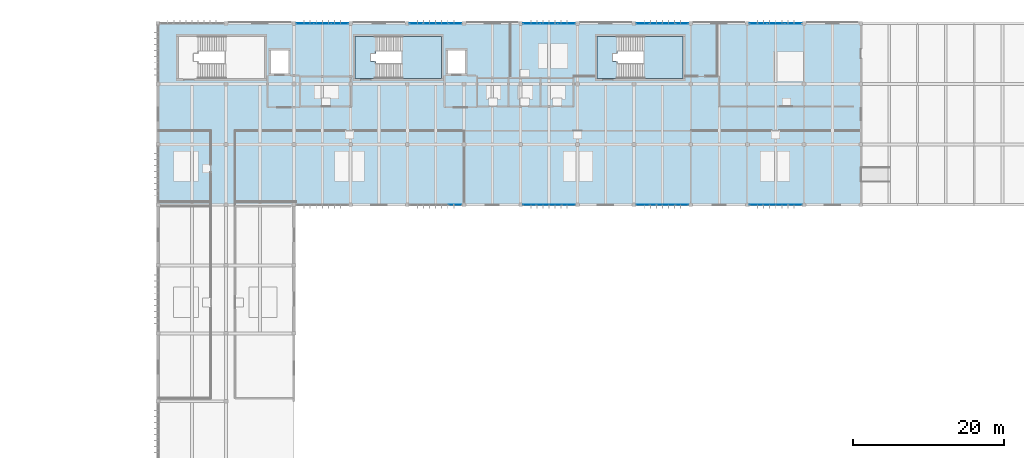
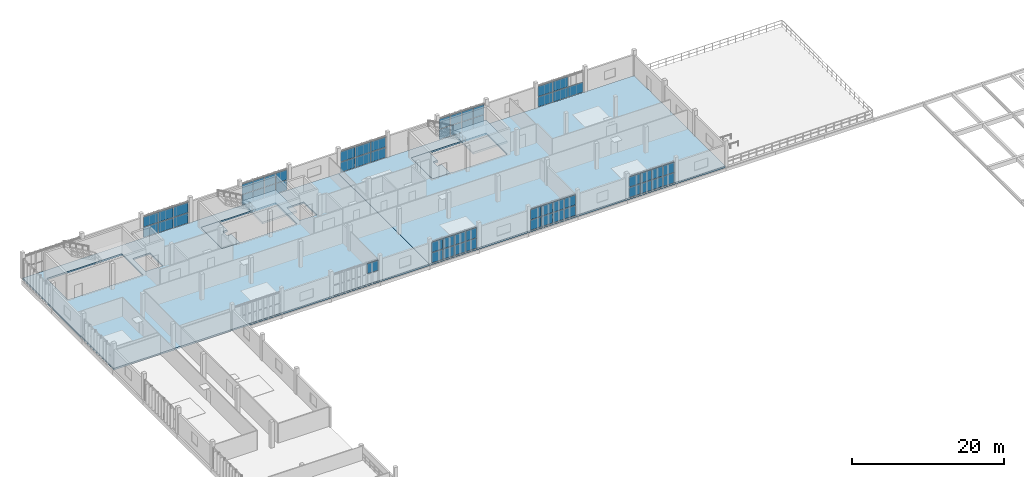
# One storey, part 16 of 27: 58 plates, 6 slabs, 11 elements without a shape of their own.
"""IFC4 building model written with IfcOpenShell, lengths in metres."""

from ifc_helpers import new_model, si_unit, direction, frame, origin, origin_2d, place, context, subcontext, project, spatial, polyline, rectangle, outline, extrude, material, layer, layer_set, type_object, element, aggregate, save


model = new_model("IFC4")

# Units and contexts
model_context = context("Model", 3, precision=1e-05, world=origin(), true_north=direction((0.0, 1.0)))
body_context = subcontext(model_context, "Body", "Model", "MODEL_VIEW")
ifc_project = project(units=[si_unit("LENGTHUNIT", "METRE"), si_unit("AREAUNIT", "SQUARE_METRE"), si_unit("VOLUMEUNIT", "CUBIC_METRE"), si_unit("PLANEANGLEUNIT", "RADIAN"), si_unit("MASSUNIT", "GRAM", prefix="KILO")], contexts=[model_context])

# Site, building, storey
site_placement = place(None, origin())
site = spatial("IfcSite", under=ifc_project, at=site_placement, CompositionType="ELEMENT")
building_placement = place(site_placement, origin())
building = spatial("IfcBuilding", under=site, at=building_placement, Name="Vourika Railside Aquatics Centre", CompositionType="ELEMENT")
storey_placement = place(building_placement, frame((0.0, 0.0, 13.5)))
storey = spatial("IfcBuildingStorey", under=building, at=storey_placement, Name="L03", CompositionType="ELEMENT", Elevation=13.5)

# Curtain wall, plates
ifc_material_1 = material(Name="Anodized thermally broken aluminium", Category="aluminium")
curtain_wall_type = type_object("IfcCurtainWallType", Name="CW-FIT3", PredefinedType="NOTDEFINED", material=ifc_material_1)
curtain_wall_1_placement = place(storey_placement, origin())
curtain_wall_1 = element("IfcCurtainWall", 1, at=curtain_wall_1_placement, inside=storey, type_object=curtain_wall_type, Name="North Boulevard Curtain Wall L03-3", PredefinedType="NOTDEFINED")
ifc_material_2 = material(Name="Low-E solar-control laminated double glazing", Category="glass")
ifc_layer_1 = layer(ifc_material_2, 0.02392578125, Name="CWP-FIT3")
ifc_layer_set_1 = layer_set([ifc_layer_1], Name="Low-E solar-control laminated double glazing")
plate_type = type_object("IfcPlateType", Name="CWP-FIT3", PredefinedType="CURTAIN_PANEL", material=ifc_layer_set_1)
plate_1_placement = place(storey_placement, frame((42.048828125, 116.0, 0.05810546875), z_axis=(0.0, 0.0, 1.0), x_axis=(-1.0, 0.0, 0.0)))
plate_1 = element("IfcPlate", 2, at=plate_1_placement, type_object=plate_type, Name="CW17 panel 1.1", PredefinedType="CURTAIN_PANEL", context=body_context, shape_type="SweptSolid", body=[
    extrude(rectangle(XDim=2.226318359375, YDim=0.02392578125, at=origin_2d()), origin(), (0.0, 0.0, 1.0), 1.633056640625),
])
plate_2_placement = place(storey_placement, frame((42.048828125, 116.0, 1.7490234375), z_axis=(0.0, 0.0, 1.0), x_axis=(-1.0, 0.0, 0.0)))
plate_2 = element("IfcPlate", 3, at=plate_2_placement, type_object=plate_type, Name="CW17 panel 1.2", PredefinedType="CURTAIN_PANEL", context=body_context, shape_type="SweptSolid", body=[
    extrude(rectangle(XDim=2.226318359375, YDim=0.02392578125, at=origin_2d()), origin(), (0.0, 0.0, 1.0), 1.633056640625),
])
plate_3_placement = place(storey_placement, frame((39.75, 116.0, 0.05810546875), z_axis=(0.0, 0.0, 1.0), x_axis=(-1.0, 0.0, 0.0)))
plate_3 = element("IfcPlate", 4, at=plate_3_placement, type_object=plate_type, Name="CW17 panel 2.1", PredefinedType="CURTAIN_PANEL", context=body_context, shape_type="SweptSolid", body=[
    extrude(rectangle(XDim=2.25537109375, YDim=0.02392578125, at=origin_2d()), origin(), (0.0, 0.0, 1.0), 1.633056640625),
])
plate_4_placement = place(storey_placement, frame((39.75, 116.0, 1.7490234375), z_axis=(0.0, 0.0, 1.0), x_axis=(-1.0, 0.0, 0.0)))
plate_4 = element("IfcPlate", 5, at=plate_4_placement, type_object=plate_type, Name="CW17 panel 2.2", PredefinedType="CURTAIN_PANEL", context=body_context, shape_type="SweptSolid", body=[
    extrude(rectangle(XDim=2.25537109375, YDim=0.02392578125, at=origin_2d()), origin(), (0.0, 0.0, 1.0), 1.633056640625),
])
plate_5_placement = place(storey_placement, frame((37.451171875, 116.0, 0.05810546875), z_axis=(0.0, 0.0, 1.0), x_axis=(-1.0, 0.0, 0.0)))
plate_5 = element("IfcPlate", 6, at=plate_5_placement, type_object=plate_type, Name="CW17 panel 3.1", PredefinedType="CURTAIN_PANEL", context=body_context, shape_type="SweptSolid", body=[
    extrude(rectangle(XDim=2.226318359375, YDim=0.02392578125, at=origin_2d()), origin(), (0.0, 0.0, 1.0), 1.633056640625),
])
plate_6_placement = place(storey_placement, frame((37.451171875, 116.0, 1.7490234375), z_axis=(0.0, 0.0, 1.0), x_axis=(-1.0, 0.0, 0.0)))
plate_6 = element("IfcPlate", 7, at=plate_6_placement, type_object=plate_type, Name="CW17 panel 3.2", PredefinedType="CURTAIN_PANEL", context=body_context, shape_type="SweptSolid", body=[
    extrude(rectangle(XDim=2.226318359375, YDim=0.02392578125, at=origin_2d()), origin(), (0.0, 0.0, 1.0), 1.633056640625),
])
aggregate(curtain_wall_1, [plate_1, plate_2, plate_3, plate_4, plate_5, plate_6])

curtain_wall_2_placement = place(storey_placement, origin())
curtain_wall_2 = element("IfcCurtainWall", 8, at=curtain_wall_2_placement, inside=storey, type_object=curtain_wall_type, Name="North Boulevard Curtain Wall L03-5", PredefinedType="NOTDEFINED")
plate_7_placement = place(storey_placement, frame((57.337890625, 116.0, 0.05810546875), z_axis=(0.0, 0.0, 1.0), x_axis=(-1.0, 0.0, 0.0)))
plate_7 = element("IfcPlate", 9, at=plate_7_placement, type_object=plate_type, Name="CW17 panel 1.1", PredefinedType="CURTAIN_PANEL", context=body_context, shape_type="SweptSolid", body=[
    extrude(rectangle(XDim=1.64794921875, YDim=0.02392578125, at=origin_2d()), origin(), (0.0, 0.0, 1.0), 1.633056640625),
])
plate_8_placement = place(storey_placement, frame((57.337890625, 116.0, 1.7490234375), z_axis=(0.0, 0.0, 1.0), x_axis=(-1.0, 0.0, 0.0)))
plate_8 = element("IfcPlate", 10, at=plate_8_placement, type_object=plate_type, Name="CW17 panel 1.2", PredefinedType="CURTAIN_PANEL", context=body_context, shape_type="SweptSolid", body=[
    extrude(rectangle(XDim=1.64794921875, YDim=0.02392578125, at=origin_2d()), origin(), (0.0, 0.0, 1.0), 1.633056640625),
])
plate_9_placement = place(storey_placement, frame((55.617431640625, 116.0, 0.05810546875), z_axis=(0.0, 0.0, 1.0), x_axis=(-1.0, 0.0, 0.0)))
plate_9 = element("IfcPlate", 11, at=plate_9_placement, type_object=plate_type, Name="CW17 panel 2.1", PredefinedType="CURTAIN_PANEL", context=body_context, shape_type="SweptSolid", body=[
    extrude(rectangle(XDim=1.677001953125, YDim=0.02392578125, at=origin_2d()), origin(), (0.0, 0.0, 1.0), 1.633056640625),
])
plate_10_placement = place(storey_placement, frame((55.617431640625, 116.0, 1.7490234375), z_axis=(0.0, 0.0, 1.0), x_axis=(-1.0, 0.0, 0.0)))
plate_10 = element("IfcPlate", 12, at=plate_10_placement, type_object=plate_type, Name="CW17 panel 2.2", PredefinedType="CURTAIN_PANEL", context=body_context, shape_type="SweptSolid", body=[
    extrude(rectangle(XDim=1.677001953125, YDim=0.02392578125, at=origin_2d()), origin(), (0.0, 0.0, 1.0), 1.633056640625),
])
plate_11_placement = place(storey_placement, frame((53.882568359375, 116.0, 0.05810546875), z_axis=(0.0, 0.0, 1.0), x_axis=(-1.0, 0.0, 0.0)))
plate_11 = element("IfcPlate", 13, at=plate_11_placement, type_object=plate_type, Name="CW17 panel 3.1", PredefinedType="CURTAIN_PANEL", context=body_context, shape_type="SweptSolid", body=[
    extrude(rectangle(XDim=1.677001953125, YDim=0.02392578125, at=origin_2d()), origin(), (0.0, 0.0, 1.0), 1.633056640625),
])
plate_12_placement = place(storey_placement, frame((53.882568359375, 116.0, 1.7490234375), z_axis=(0.0, 0.0, 1.0), x_axis=(-1.0, 0.0, 0.0)))
plate_12 = element("IfcPlate", 14, at=plate_12_placement, type_object=plate_type, Name="CW17 panel 3.2", PredefinedType="CURTAIN_PANEL", context=body_context, shape_type="SweptSolid", body=[
    extrude(rectangle(XDim=1.677001953125, YDim=0.02392578125, at=origin_2d()), origin(), (0.0, 0.0, 1.0), 1.633056640625),
])
plate_13_placement = place(storey_placement, frame((52.162109375, 116.0, 0.05810546875), z_axis=(0.0, 0.0, 1.0), x_axis=(-1.0, 0.0, 0.0)))
plate_13 = element("IfcPlate", 15, at=plate_13_placement, type_object=plate_type, Name="CW17 panel 4.1", PredefinedType="CURTAIN_PANEL", context=body_context, shape_type="SweptSolid", body=[
    extrude(rectangle(XDim=1.64794921875, YDim=0.02392578125, at=origin_2d()), origin(), (0.0, 0.0, 1.0), 1.633056640625),
])
plate_14_placement = place(storey_placement, frame((52.162109375, 116.0, 1.7490234375), z_axis=(0.0, 0.0, 1.0), x_axis=(-1.0, 0.0, 0.0)))
plate_14 = element("IfcPlate", 16, at=plate_14_placement, type_object=plate_type, Name="CW17 panel 4.2", PredefinedType="CURTAIN_PANEL", context=body_context, shape_type="SweptSolid", body=[
    extrude(rectangle(XDim=1.64794921875, YDim=0.02392578125, at=origin_2d()), origin(), (0.0, 0.0, 1.0), 1.633056640625),
])
aggregate(curtain_wall_2, [plate_7, plate_8, plate_9, plate_10, plate_11, plate_12, plate_13, plate_14])

curtain_wall_3_placement = place(storey_placement, origin())
curtain_wall_3 = element("IfcCurtainWall", 17, at=curtain_wall_3_placement, inside=storey, type_object=curtain_wall_type, Name="North Boulevard Curtain Wall L03-7", PredefinedType="NOTDEFINED")
plate_15_placement = place(storey_placement, frame((72.048828125, 116.0, 0.05810546875), z_axis=(0.0, 0.0, 1.0), x_axis=(-1.0, 0.0, 0.0)))
plate_15 = element("IfcPlate", 18, at=plate_15_placement, type_object=plate_type, Name="CW17 panel 1.1", PredefinedType="CURTAIN_PANEL", context=body_context, shape_type="SweptSolid", body=[
    extrude(rectangle(XDim=2.226318359375, YDim=0.02392578125, at=origin_2d()), origin(), (0.0, 0.0, 1.0), 1.633056640625),
])
plate_16_placement = place(storey_placement, frame((72.048828125, 116.0, 1.7490234375), z_axis=(0.0, 0.0, 1.0), x_axis=(-1.0, 0.0, 0.0)))
plate_16 = element("IfcPlate", 19, at=plate_16_placement, type_object=plate_type, Name="CW17 panel 1.2", PredefinedType="CURTAIN_PANEL", context=body_context, shape_type="SweptSolid", body=[
    extrude(rectangle(XDim=2.226318359375, YDim=0.02392578125, at=origin_2d()), origin(), (0.0, 0.0, 1.0), 1.633056640625),
])
plate_17_placement = place(storey_placement, frame((69.75, 116.0, 0.05810546875), z_axis=(0.0, 0.0, 1.0), x_axis=(-1.0, 0.0, 0.0)))
plate_17 = element("IfcPlate", 20, at=plate_17_placement, type_object=plate_type, Name="CW17 panel 2.1", PredefinedType="CURTAIN_PANEL", context=body_context, shape_type="SweptSolid", body=[
    extrude(rectangle(XDim=2.25537109375, YDim=0.02392578125, at=origin_2d()), origin(), (0.0, 0.0, 1.0), 1.633056640625),
])
plate_18_placement = place(storey_placement, frame((69.75, 116.0, 1.7490234375), z_axis=(0.0, 0.0, 1.0), x_axis=(-1.0, 0.0, 0.0)))
plate_18 = element("IfcPlate", 21, at=plate_18_placement, type_object=plate_type, Name="CW17 panel 2.2", PredefinedType="CURTAIN_PANEL", context=body_context, shape_type="SweptSolid", body=[
    extrude(rectangle(XDim=2.25537109375, YDim=0.02392578125, at=origin_2d()), origin(), (0.0, 0.0, 1.0), 1.633056640625),
])
plate_19_placement = place(storey_placement, frame((67.451171875, 116.0, 0.05810546875), z_axis=(0.0, 0.0, 1.0), x_axis=(-1.0, 0.0, 0.0)))
plate_19 = element("IfcPlate", 22, at=plate_19_placement, type_object=plate_type, Name="CW17 panel 3.1", PredefinedType="CURTAIN_PANEL", context=body_context, shape_type="SweptSolid", body=[
    extrude(rectangle(XDim=2.226318359375, YDim=0.02392578125, at=origin_2d()), origin(), (0.0, 0.0, 1.0), 1.633056640625),
])
plate_20_placement = place(storey_placement, frame((67.451171875, 116.0, 1.7490234375), z_axis=(0.0, 0.0, 1.0), x_axis=(-1.0, 0.0, 0.0)))
plate_20 = element("IfcPlate", 23, at=plate_20_placement, type_object=plate_type, Name="CW17 panel 3.2", PredefinedType="CURTAIN_PANEL", context=body_context, shape_type="SweptSolid", body=[
    extrude(rectangle(XDim=2.226318359375, YDim=0.02392578125, at=origin_2d()), origin(), (0.0, 0.0, 1.0), 1.633056640625),
])
aggregate(curtain_wall_3, [plate_15, plate_16, plate_17, plate_18, plate_19, plate_20])

curtain_wall_4_placement = place(storey_placement, origin())
curtain_wall_4 = element("IfcCurtainWall", 24, at=curtain_wall_4_placement, inside=storey, type_object=curtain_wall_type, Name="North Boulevard Curtain Wall L03-9", PredefinedType="NOTDEFINED")
plate_21_placement = place(storey_placement, frame((87.337890625, 116.0, 0.05810546875), z_axis=(0.0, 0.0, 1.0), x_axis=(-1.0, 0.0, 0.0)))
plate_21 = element("IfcPlate", 25, at=plate_21_placement, type_object=plate_type, Name="CW17 panel 1.1", PredefinedType="CURTAIN_PANEL", context=body_context, shape_type="SweptSolid", body=[
    extrude(rectangle(XDim=1.64794921875, YDim=0.02392578125, at=origin_2d()), origin(), (0.0, 0.0, 1.0), 1.6279296875),
])
plate_22_placement = place(storey_placement, frame((87.337890625, 116.0, 1.744140625), z_axis=(0.0, 0.0, 1.0), x_axis=(-1.0, 0.0, 0.0)))
plate_22 = element("IfcPlate", 26, at=plate_22_placement, type_object=plate_type, Name="CW17 panel 1.2", PredefinedType="CURTAIN_PANEL", context=body_context, shape_type="SweptSolid", body=[
    extrude(rectangle(XDim=1.64794921875, YDim=0.02392578125, at=origin_2d()), origin(), (0.0, 0.0, 1.0), 1.6279296875),
])
plate_23_placement = place(storey_placement, frame((85.617431640625, 116.0, 0.05810546875), z_axis=(0.0, 0.0, 1.0), x_axis=(-1.0, 0.0, 0.0)))
plate_23 = element("IfcPlate", 27, at=plate_23_placement, type_object=plate_type, Name="CW17 panel 2.1", PredefinedType="CURTAIN_PANEL", context=body_context, shape_type="SweptSolid", body=[
    extrude(rectangle(XDim=1.677001953125, YDim=0.02392578125, at=origin_2d()), origin(), (0.0, 0.0, 1.0), 1.6279296875),
])
plate_24_placement = place(storey_placement, frame((85.617431640625, 116.0, 1.744140625), z_axis=(0.0, 0.0, 1.0), x_axis=(-1.0, 0.0, 0.0)))
plate_24 = element("IfcPlate", 28, at=plate_24_placement, type_object=plate_type, Name="CW17 panel 2.2", PredefinedType="CURTAIN_PANEL", context=body_context, shape_type="SweptSolid", body=[
    extrude(rectangle(XDim=1.677001953125, YDim=0.02392578125, at=origin_2d()), origin(), (0.0, 0.0, 1.0), 1.6279296875),
])
plate_25_placement = place(storey_placement, frame((83.882568359375, 116.0, 0.05810546875), z_axis=(0.0, 0.0, 1.0), x_axis=(-1.0, 0.0, 0.0)))
plate_25 = element("IfcPlate", 29, at=plate_25_placement, type_object=plate_type, Name="CW17 panel 3.1", PredefinedType="CURTAIN_PANEL", context=body_context, shape_type="SweptSolid", body=[
    extrude(rectangle(XDim=1.677001953125, YDim=0.02392578125, at=origin_2d()), origin(), (0.0, 0.0, 1.0), 1.6279296875),
])
plate_26_placement = place(storey_placement, frame((83.882568359375, 116.0, 1.744140625), z_axis=(0.0, 0.0, 1.0), x_axis=(-1.0, 0.0, 0.0)))
plate_26 = element("IfcPlate", 30, at=plate_26_placement, type_object=plate_type, Name="CW17 panel 3.2", PredefinedType="CURTAIN_PANEL", context=body_context, shape_type="SweptSolid", body=[
    extrude(rectangle(XDim=1.677001953125, YDim=0.02392578125, at=origin_2d()), origin(), (0.0, 0.0, 1.0), 1.6279296875),
])
plate_27_placement = place(storey_placement, frame((82.162109375, 116.0, 0.05810546875), z_axis=(0.0, 0.0, 1.0), x_axis=(-1.0, 0.0, 0.0)))
plate_27 = element("IfcPlate", 31, at=plate_27_placement, type_object=plate_type, Name="CW17 panel 4.1", PredefinedType="CURTAIN_PANEL", context=body_context, shape_type="SweptSolid", body=[
    extrude(rectangle(XDim=1.64794921875, YDim=0.02392578125, at=origin_2d()), origin(), (0.0, 0.0, 1.0), 1.6279296875),
])
plate_28_placement = place(storey_placement, frame((82.162109375, 116.0, 1.744140625), z_axis=(0.0, 0.0, 1.0), x_axis=(-1.0, 0.0, 0.0)))
plate_28 = element("IfcPlate", 32, at=plate_28_placement, type_object=plate_type, Name="CW17 panel 4.2", PredefinedType="CURTAIN_PANEL", context=body_context, shape_type="SweptSolid", body=[
    extrude(rectangle(XDim=1.64794921875, YDim=0.02392578125, at=origin_2d()), origin(), (0.0, 0.0, 1.0), 1.6279296875),
])
aggregate(curtain_wall_4, [plate_21, plate_22, plate_23, plate_24, plate_25, plate_26, plate_27, plate_28])

curtain_wall_5_placement = place(storey_placement, origin())
curtain_wall_5 = element("IfcCurtainWall", 33, at=curtain_wall_5_placement, inside=storey, type_object=curtain_wall_type, Name="North Boulevard Curtain Wall L03-11", PredefinedType="NOTDEFINED")
plate_29_placement = place(storey_placement, frame((102.048828125, 116.0, 0.05810546875), z_axis=(0.0, 0.0, 1.0), x_axis=(-1.0, 0.0, 0.0)))
plate_29 = element("IfcPlate", 34, at=plate_29_placement, type_object=plate_type, Name="CW17 panel 1.1", PredefinedType="CURTAIN_PANEL", context=body_context, shape_type="SweptSolid", body=[
    extrude(rectangle(XDim=2.226318359375, YDim=0.02392578125, at=origin_2d()), origin(), (0.0, 0.0, 1.0), 1.6279296875),
])
plate_30_placement = place(storey_placement, frame((99.75, 116.0, 0.05810546875), z_axis=(0.0, 0.0, 1.0), x_axis=(-1.0, 0.0, 0.0)))
plate_30 = element("IfcPlate", 35, at=plate_30_placement, type_object=plate_type, Name="CW17 panel 2.1", PredefinedType="CURTAIN_PANEL", context=body_context, shape_type="SweptSolid", body=[
    extrude(rectangle(XDim=2.25537109375, YDim=0.02392578125, at=origin_2d()), origin(), (0.0, 0.0, 1.0), 1.6279296875),
])
plate_31_placement = place(storey_placement, frame((99.75, 116.0, 1.744140625), z_axis=(0.0, 0.0, 1.0), x_axis=(-1.0, 0.0, 0.0)))
plate_31 = element("IfcPlate", 36, at=plate_31_placement, type_object=plate_type, Name="CW17 panel 2.2", PredefinedType="CURTAIN_PANEL", context=body_context, shape_type="SweptSolid", body=[
    extrude(rectangle(XDim=2.25537109375, YDim=0.02392578125, at=origin_2d()), origin(), (0.0, 0.0, 1.0), 1.6279296875),
])
plate_32_placement = place(storey_placement, frame((97.451171875, 116.0, 0.05810546875), z_axis=(0.0, 0.0, 1.0), x_axis=(-1.0, 0.0, 0.0)))
plate_32 = element("IfcPlate", 37, at=plate_32_placement, type_object=plate_type, Name="CW17 panel 3.1", PredefinedType="CURTAIN_PANEL", context=body_context, shape_type="SweptSolid", body=[
    extrude(rectangle(XDim=2.226318359375, YDim=0.02392578125, at=origin_2d()), origin(), (0.0, 0.0, 1.0), 1.6279296875),
])
plate_33_placement = place(storey_placement, frame((97.451171875, 116.0, 1.744140625), z_axis=(0.0, 0.0, 1.0), x_axis=(-1.0, 0.0, 0.0)))
plate_33 = element("IfcPlate", 38, at=plate_33_placement, type_object=plate_type, Name="CW17 panel 3.2", PredefinedType="CURTAIN_PANEL", context=body_context, shape_type="SweptSolid", body=[
    extrude(rectangle(XDim=2.226318359375, YDim=0.02392578125, at=origin_2d()), origin(), (0.0, 0.0, 1.0), 1.6279296875),
])
aggregate(curtain_wall_5, [plate_29, plate_30, plate_31, plate_32, plate_33])

# Curtain wall, plate
curtain_wall_6_placement = place(storey_placement, origin())
curtain_wall_6 = element("IfcCurtainWall", 39, at=curtain_wall_6_placement, inside=storey, type_object=curtain_wall_type, Name="Courtyard Fitness Curtain Wall L03-3", PredefinedType="NOTDEFINED")
plate_34_placement = place(storey_placement, frame((57.337890625, 92.0, 1.7490234375), z_axis=(0.0, 0.0, 1.0), x_axis=(1.0, 0.0, 0.0)))
plate_34 = element("IfcPlate", 40, at=plate_34_placement, type_object=plate_type, Name="CW17 panel 4.2", PredefinedType="CURTAIN_PANEL", context=body_context, shape_type="SweptSolid", body=[
    extrude(rectangle(XDim=1.64794921875, YDim=0.02392578125, at=origin_2d()), origin(), (0.0, 0.0, 1.0), 1.633056640625),
])
aggregate(curtain_wall_6, [plate_34])

# Curtain wall, plates
curtain_wall_7_placement = place(storey_placement, origin())
curtain_wall_7 = element("IfcCurtainWall", 41, at=curtain_wall_7_placement, inside=storey, type_object=curtain_wall_type, Name="Courtyard Fitness Curtain Wall L03-5", PredefinedType="NOTDEFINED")
plate_35_placement = place(storey_placement, frame((67.162109375, 92.0, 0.05810546875), z_axis=(0.0, 0.0, 1.0), x_axis=(1.0, 0.0, 0.0)))
plate_35 = element("IfcPlate", 42, at=plate_35_placement, type_object=plate_type, Name="CW17 panel 1.1", PredefinedType="CURTAIN_PANEL", context=body_context, shape_type="SweptSolid", body=[
    extrude(rectangle(XDim=1.64794921875, YDim=0.02392578125, at=origin_2d()), origin(), (0.0, 0.0, 1.0), 1.633056640625),
])
plate_36_placement = place(storey_placement, frame((67.162109375, 92.0, 1.7490234375), z_axis=(0.0, 0.0, 1.0), x_axis=(1.0, 0.0, 0.0)))
plate_36 = element("IfcPlate", 43, at=plate_36_placement, type_object=plate_type, Name="CW17 panel 1.2", PredefinedType="CURTAIN_PANEL", context=body_context, shape_type="SweptSolid", body=[
    extrude(rectangle(XDim=1.64794921875, YDim=0.02392578125, at=origin_2d()), origin(), (0.0, 0.0, 1.0), 1.633056640625),
])
plate_37_placement = place(storey_placement, frame((68.882568359375, 92.0, 0.05810546875), z_axis=(0.0, 0.0, 1.0), x_axis=(1.0, 0.0, 0.0)))
plate_37 = element("IfcPlate", 44, at=plate_37_placement, type_object=plate_type, Name="CW17 panel 2.1", PredefinedType="CURTAIN_PANEL", context=body_context, shape_type="SweptSolid", body=[
    extrude(rectangle(XDim=1.677001953125, YDim=0.02392578125, at=origin_2d()), origin(), (0.0, 0.0, 1.0), 1.633056640625),
])
plate_38_placement = place(storey_placement, frame((68.882568359375, 92.0, 1.7490234375), z_axis=(0.0, 0.0, 1.0), x_axis=(1.0, 0.0, 0.0)))
plate_38 = element("IfcPlate", 45, at=plate_38_placement, type_object=plate_type, Name="CW17 panel 2.2", PredefinedType="CURTAIN_PANEL", context=body_context, shape_type="SweptSolid", body=[
    extrude(rectangle(XDim=1.677001953125, YDim=0.02392578125, at=origin_2d()), origin(), (0.0, 0.0, 1.0), 1.633056640625),
])
plate_39_placement = place(storey_placement, frame((70.617431640625, 92.0, 0.05810546875), z_axis=(0.0, 0.0, 1.0), x_axis=(1.0, 0.0, 0.0)))
plate_39 = element("IfcPlate", 46, at=plate_39_placement, type_object=plate_type, Name="CW17 panel 3.1", PredefinedType="CURTAIN_PANEL", context=body_context, shape_type="SweptSolid", body=[
    extrude(rectangle(XDim=1.677001953125, YDim=0.02392578125, at=origin_2d()), origin(), (0.0, 0.0, 1.0), 1.633056640625),
])
plate_40_placement = place(storey_placement, frame((70.617431640625, 92.0, 1.7490234375), z_axis=(0.0, 0.0, 1.0), x_axis=(1.0, 0.0, 0.0)))
plate_40 = element("IfcPlate", 47, at=plate_40_placement, type_object=plate_type, Name="CW17 panel 3.2", PredefinedType="CURTAIN_PANEL", context=body_context, shape_type="SweptSolid", body=[
    extrude(rectangle(XDim=1.677001953125, YDim=0.02392578125, at=origin_2d()), origin(), (0.0, 0.0, 1.0), 1.633056640625),
])
plate_41_placement = place(storey_placement, frame((72.337890625, 92.0, 0.05810546875), z_axis=(0.0, 0.0, 1.0), x_axis=(1.0, 0.0, 0.0)))
plate_41 = element("IfcPlate", 48, at=plate_41_placement, type_object=plate_type, Name="CW17 panel 4.1", PredefinedType="CURTAIN_PANEL", context=body_context, shape_type="SweptSolid", body=[
    extrude(rectangle(XDim=1.64794921875, YDim=0.02392578125, at=origin_2d()), origin(), (0.0, 0.0, 1.0), 1.633056640625),
])
plate_42_placement = place(storey_placement, frame((72.337890625, 92.0, 1.7490234375), z_axis=(0.0, 0.0, 1.0), x_axis=(1.0, 0.0, 0.0)))
plate_42 = element("IfcPlate", 49, at=plate_42_placement, type_object=plate_type, Name="CW17 panel 4.2", PredefinedType="CURTAIN_PANEL", context=body_context, shape_type="SweptSolid", body=[
    extrude(rectangle(XDim=1.64794921875, YDim=0.02392578125, at=origin_2d()), origin(), (0.0, 0.0, 1.0), 1.633056640625),
])
aggregate(curtain_wall_7, [plate_35, plate_36, plate_37, plate_38, plate_39, plate_40, plate_41, plate_42])

curtain_wall_8_placement = place(storey_placement, origin())
curtain_wall_8 = element("IfcCurtainWall", 50, at=curtain_wall_8_placement, inside=storey, type_object=curtain_wall_type, Name="Courtyard Fitness Curtain Wall L03-7", PredefinedType="NOTDEFINED")
plate_43_placement = place(storey_placement, frame((82.162109375, 92.0, 0.05810546875), z_axis=(0.0, 0.0, 1.0), x_axis=(1.0, 0.0, 0.0)))
plate_43 = element("IfcPlate", 51, at=plate_43_placement, type_object=plate_type, Name="CW17 panel 1.1", PredefinedType="CURTAIN_PANEL", context=body_context, shape_type="SweptSolid", body=[
    extrude(rectangle(XDim=1.64794921875, YDim=0.02392578125, at=origin_2d()), origin(), (0.0, 0.0, 1.0), 1.6279296875),
])
plate_44_placement = place(storey_placement, frame((82.162109375, 92.0, 1.744140625), z_axis=(0.0, 0.0, 1.0), x_axis=(1.0, 0.0, 0.0)))
plate_44 = element("IfcPlate", 52, at=plate_44_placement, type_object=plate_type, Name="CW17 panel 1.2", PredefinedType="CURTAIN_PANEL", context=body_context, shape_type="SweptSolid", body=[
    extrude(rectangle(XDim=1.64794921875, YDim=0.02392578125, at=origin_2d()), origin(), (0.0, 0.0, 1.0), 1.6279296875),
])
plate_45_placement = place(storey_placement, frame((83.882568359375, 92.0, 0.05810546875), z_axis=(0.0, 0.0, 1.0), x_axis=(1.0, 0.0, 0.0)))
plate_45 = element("IfcPlate", 53, at=plate_45_placement, type_object=plate_type, Name="CW17 panel 2.1", PredefinedType="CURTAIN_PANEL", context=body_context, shape_type="SweptSolid", body=[
    extrude(rectangle(XDim=1.677001953125, YDim=0.02392578125, at=origin_2d()), origin(), (0.0, 0.0, 1.0), 1.6279296875),
])
plate_46_placement = place(storey_placement, frame((83.882568359375, 92.0, 1.744140625), z_axis=(0.0, 0.0, 1.0), x_axis=(1.0, 0.0, 0.0)))
plate_46 = element("IfcPlate", 54, at=plate_46_placement, type_object=plate_type, Name="CW17 panel 2.2", PredefinedType="CURTAIN_PANEL", context=body_context, shape_type="SweptSolid", body=[
    extrude(rectangle(XDim=1.677001953125, YDim=0.02392578125, at=origin_2d()), origin(), (0.0, 0.0, 1.0), 1.6279296875),
])
plate_47_placement = place(storey_placement, frame((85.617431640625, 92.0, 0.05810546875), z_axis=(0.0, 0.0, 1.0), x_axis=(1.0, 0.0, 0.0)))
plate_47 = element("IfcPlate", 55, at=plate_47_placement, type_object=plate_type, Name="CW17 panel 3.1", PredefinedType="CURTAIN_PANEL", context=body_context, shape_type="SweptSolid", body=[
    extrude(rectangle(XDim=1.677001953125, YDim=0.02392578125, at=origin_2d()), origin(), (0.0, 0.0, 1.0), 1.6279296875),
])
plate_48_placement = place(storey_placement, frame((85.617431640625, 92.0, 1.744140625), z_axis=(0.0, 0.0, 1.0), x_axis=(1.0, 0.0, 0.0)))
plate_48 = element("IfcPlate", 56, at=plate_48_placement, type_object=plate_type, Name="CW17 panel 3.2", PredefinedType="CURTAIN_PANEL", context=body_context, shape_type="SweptSolid", body=[
    extrude(rectangle(XDim=1.677001953125, YDim=0.02392578125, at=origin_2d()), origin(), (0.0, 0.0, 1.0), 1.6279296875),
])
plate_49_placement = place(storey_placement, frame((87.337890625, 92.0, 0.05810546875), z_axis=(0.0, 0.0, 1.0), x_axis=(1.0, 0.0, 0.0)))
plate_49 = element("IfcPlate", 57, at=plate_49_placement, type_object=plate_type, Name="CW17 panel 4.1", PredefinedType="CURTAIN_PANEL", context=body_context, shape_type="SweptSolid", body=[
    extrude(rectangle(XDim=1.64794921875, YDim=0.02392578125, at=origin_2d()), origin(), (0.0, 0.0, 1.0), 1.6279296875),
])
plate_50_placement = place(storey_placement, frame((87.337890625, 92.0, 1.744140625), z_axis=(0.0, 0.0, 1.0), x_axis=(1.0, 0.0, 0.0)))
plate_50 = element("IfcPlate", 58, at=plate_50_placement, type_object=plate_type, Name="CW17 panel 4.2", PredefinedType="CURTAIN_PANEL", context=body_context, shape_type="SweptSolid", body=[
    extrude(rectangle(XDim=1.64794921875, YDim=0.02392578125, at=origin_2d()), origin(), (0.0, 0.0, 1.0), 1.6279296875),
])
aggregate(curtain_wall_8, [plate_43, plate_44, plate_45, plate_46, plate_47, plate_48, plate_49, plate_50])

curtain_wall_9_placement = place(storey_placement, origin())
curtain_wall_9 = element("IfcCurtainWall", 59, at=curtain_wall_9_placement, inside=storey, type_object=curtain_wall_type, Name="Courtyard Fitness Curtain Wall L03-9", PredefinedType="NOTDEFINED")
plate_51_placement = place(storey_placement, frame((97.162109375, 92.0, 0.05810546875), z_axis=(0.0, 0.0, 1.0), x_axis=(1.0, 0.0, 0.0)))
plate_51 = element("IfcPlate", 60, at=plate_51_placement, type_object=plate_type, Name="CW17 panel 1.1", PredefinedType="CURTAIN_PANEL", context=body_context, shape_type="SweptSolid", body=[
    extrude(rectangle(XDim=1.64794921875, YDim=0.02392578125, at=origin_2d()), origin(), (0.0, 0.0, 1.0), 1.6279296875),
])
plate_52_placement = place(storey_placement, frame((97.162109375, 92.0, 1.744140625), z_axis=(0.0, 0.0, 1.0), x_axis=(1.0, 0.0, 0.0)))
plate_52 = element("IfcPlate", 61, at=plate_52_placement, type_object=plate_type, Name="CW17 panel 1.2", PredefinedType="CURTAIN_PANEL", context=body_context, shape_type="SweptSolid", body=[
    extrude(rectangle(XDim=1.64794921875, YDim=0.02392578125, at=origin_2d()), origin(), (0.0, 0.0, 1.0), 1.6279296875),
])
plate_53_placement = place(storey_placement, frame((98.882568359375, 92.0, 0.05810546875), z_axis=(0.0, 0.0, 1.0), x_axis=(1.0, 0.0, 0.0)))
plate_53 = element("IfcPlate", 62, at=plate_53_placement, type_object=plate_type, Name="CW17 panel 2.1", PredefinedType="CURTAIN_PANEL", context=body_context, shape_type="SweptSolid", body=[
    extrude(rectangle(XDim=1.677001953125, YDim=0.02392578125, at=origin_2d()), origin(), (0.0, 0.0, 1.0), 1.6279296875),
])
plate_54_placement = place(storey_placement, frame((98.882568359375, 92.0, 1.744140625), z_axis=(0.0, 0.0, 1.0), x_axis=(1.0, 0.0, 0.0)))
plate_54 = element("IfcPlate", 63, at=plate_54_placement, type_object=plate_type, Name="CW17 panel 2.2", PredefinedType="CURTAIN_PANEL", context=body_context, shape_type="SweptSolid", body=[
    extrude(rectangle(XDim=1.677001953125, YDim=0.02392578125, at=origin_2d()), origin(), (0.0, 0.0, 1.0), 1.6279296875),
])
plate_55_placement = place(storey_placement, frame((100.617431640625, 92.0, 0.05810546875), z_axis=(0.0, 0.0, 1.0), x_axis=(1.0, 0.0, 0.0)))
plate_55 = element("IfcPlate", 64, at=plate_55_placement, type_object=plate_type, Name="CW17 panel 3.1", PredefinedType="CURTAIN_PANEL", context=body_context, shape_type="SweptSolid", body=[
    extrude(rectangle(XDim=1.677001953125, YDim=0.02392578125, at=origin_2d()), origin(), (0.0, 0.0, 1.0), 1.6279296875),
])
plate_56_placement = place(storey_placement, frame((100.617431640625, 92.0, 1.744140625), z_axis=(0.0, 0.0, 1.0), x_axis=(1.0, 0.0, 0.0)))
plate_56 = element("IfcPlate", 65, at=plate_56_placement, type_object=plate_type, Name="CW17 panel 3.2", PredefinedType="CURTAIN_PANEL", context=body_context, shape_type="SweptSolid", body=[
    extrude(rectangle(XDim=1.677001953125, YDim=0.02392578125, at=origin_2d()), origin(), (0.0, 0.0, 1.0), 1.6279296875),
])
plate_57_placement = place(storey_placement, frame((102.337890625, 92.0, 0.05810546875), z_axis=(0.0, 0.0, 1.0), x_axis=(1.0, 0.0, 0.0)))
plate_57 = element("IfcPlate", 66, at=plate_57_placement, type_object=plate_type, Name="CW17 panel 4.1", PredefinedType="CURTAIN_PANEL", context=body_context, shape_type="SweptSolid", body=[
    extrude(rectangle(XDim=1.64794921875, YDim=0.02392578125, at=origin_2d()), origin(), (0.0, 0.0, 1.0), 1.6279296875),
])
plate_58_placement = place(storey_placement, frame((102.337890625, 92.0, 1.744140625), z_axis=(0.0, 0.0, 1.0), x_axis=(1.0, 0.0, 0.0)))
plate_58 = element("IfcPlate", 67, at=plate_58_placement, type_object=plate_type, Name="CW17 panel 4.2", PredefinedType="CURTAIN_PANEL", context=body_context, shape_type="SweptSolid", body=[
    extrude(rectangle(XDim=1.64794921875, YDim=0.02392578125, at=origin_2d()), origin(), (0.0, 0.0, 1.0), 1.6279296875),
])
aggregate(curtain_wall_9, [plate_51, plate_52, plate_53, plate_54, plate_55, plate_56, plate_57, plate_58])

# Slabs
ifc_material_3 = material(Name="Concrete C35/45", Category="concrete")
ifc_layer_2 = layer(ifc_material_3, 0.31005859375, Name="SLB-CORE-310")
ifc_layer_set_2 = layer_set([ifc_layer_2], Name="Concrete C35/45")
slab_type_1 = type_object("IfcSlabType", Name="SLB-CORE-310", PredefinedType="FLOOR", material=ifc_layer_set_2)
slab_1_placement = place(storey_placement, frame((0.0, 0.0, -0.31005859375)))
element("IfcSlab", 68, at=slab_1_placement, inside=storey, type_object=slab_type_1, Name="Protected Exit Stair Core ST02 Core Floor Landing (L03)", PredefinedType="FLOOR", context=body_context, shape_type="SweptSolid", body=[
    extrude(outline(polyline([(44.10009765625, 108.699951171875), (46.840087890625, 108.699951171875), (46.840087890625, 110.949951171875), (46.14990234375, 110.949951171875), (46.14990234375, 112.050048828125), (46.840087890625, 112.050048828125), (46.840087890625, 114.300048828125), (44.10009765625, 114.300048828125), (44.10009765625, 108.699951171875)])), origin(), (0.0, 0.0, 1.0), 0.31005859375),
])
slab_2_placement = place(storey_placement, frame((0.0, 0.0, -0.31005859375)))
element("IfcSlab", 69, at=slab_2_placement, inside=storey, type_object=slab_type_1, Name="Protected Exit Stair Core ST03 Core Floor Landing (L03)", PredefinedType="FLOOR", context=body_context, shape_type="SweptSolid", body=[
    extrude(outline(polyline([(76.10009765625, 108.699951171875), (78.840087890625, 108.699951171875), (78.840087890625, 110.949951171875), (78.14990234375, 110.949951171875), (78.14990234375, 112.050048828125), (78.840087890625, 112.050048828125), (78.840087890625, 114.300048828125), (76.10009765625, 114.300048828125), (76.10009765625, 108.699951171875)])), origin(), (0.0, 0.0, 1.0), 0.31005859375),
])
ifc_layer_3 = layer(ifc_material_3, 0.260009765625, Name="SLB-FLOOR-260")
ifc_layer_set_3 = layer_set([ifc_layer_3], Name="Concrete C35/45")
slab_type_2 = type_object("IfcSlabType", Name="SLB-FLOOR-260", PredefinedType="FLOOR", material=ifc_layer_set_3)
slab_3_placement = place(storey_placement, frame((0.0, 0.0, -0.260009765625)))
element("IfcSlab", 70, at=slab_3_placement, inside=storey, type_object=slab_type_2, Name="L03 Floor Slab (v5_spa_w)", PredefinedType="FLOOR", context=body_context, shape_type="SweptSolid", body=[
    extrude(outline(polyline([(18.0, 92.0), (18.0, 116.0), (66.0, 116.0), (66.0, 92.0), (18.0, 92.0)]), holes=[polyline([(32.800048828125, 112.60009765625), (32.800048828125, 109.199951171875), (35.39990234375, 109.199951171875), (35.39990234375, 112.60009765625), (32.800048828125, 112.60009765625)]), polyline([(56.199951171875, 112.60009765625), (56.199951171875, 109.199951171875), (58.800048828125, 109.199951171875), (58.800048828125, 112.60009765625), (56.199951171875, 112.60009765625)]), polyline([(20.699951171875, 108.699951171875), (32.10009765625, 108.699951171875), (32.10009765625, 114.300048828125), (20.699951171875, 114.300048828125), (20.699951171875, 108.699951171875)]), polyline([(44.10009765625, 114.300048828125), (44.10009765625, 108.699951171875), (55.5, 108.699951171875), (55.5, 114.300048828125), (44.10009765625, 114.300048828125)])]), origin(), (0.0, 0.0, 1.0), 0.260009765625),
])
slab_4_placement = place(storey_placement, frame((0.0, 0.0, -0.260009765625)))
element("IfcSlab", 71, at=slab_4_placement, inside=storey, type_object=slab_type_2, Name="L03 Floor Slab (v5_spa_e)", PredefinedType="FLOOR", context=body_context, shape_type="SweptSolid", body=[
    extrude(outline(polyline([(66.0, 92.0), (66.0, 116.0), (111.0, 116.0), (111.0, 92.0), (66.0, 92.0)]), holes=[polyline([(76.10009765625, 114.300048828125), (76.10009765625, 108.699951171875), (87.5, 108.699951171875), (87.5, 114.300048828125), (76.10009765625, 114.300048828125)])]), origin(), (0.0, 0.0, 1.0), 0.260009765625),
])

# Stair, slab
stair_type = type_object("IfcStairType", Name="STR-CORE-L03", PredefinedType="TWO_STRAIGHT_RUN_STAIR", material=ifc_material_3)
stair_1_placement = place(storey_placement, origin())
stair_1 = element("IfcStair", 72, at=stair_1_placement, inside=storey, type_object=stair_type, Name="Protected Exit Stair Core ST02 (L03)", PredefinedType="TWO_STRAIGHT_RUN_STAIR")
ifc_layer_4 = layer(ifc_material_3, 0.31005859375, Name="SLB-LND-310")
ifc_layer_set_4 = layer_set([ifc_layer_4], Name="Concrete C35/45")
slab_type_3 = type_object("IfcSlabType", Name="SLB-LND-310", PredefinedType="LANDING", material=ifc_layer_set_4)
slab_5_placement = place(storey_placement, frame((0.0, 0.0, 1.7900390625)))
slab_5 = element("IfcSlab", 73, at=slab_5_placement, type_object=slab_type_3, Name="STC-L03 landing 1", PredefinedType="LANDING", context=body_context, shape_type="SweptSolid", body=[
    extrude(outline(polyline([(50.256103515625, 108.699951171875), (55.5, 108.699951171875), (55.5, 114.300048828125), (50.256103515625, 114.300048828125), (50.256103515625, 108.699951171875)])), origin(), (0.0, 0.0, 1.0), 0.31005859375),
])
aggregate(stair_1, [slab_5])

stair_2_placement = place(storey_placement, origin())
stair_2 = element("IfcStair", 74, at=stair_2_placement, inside=storey, type_object=stair_type, Name="Protected Exit Stair Core ST03 (L03)", PredefinedType="TWO_STRAIGHT_RUN_STAIR")
slab_6_placement = place(storey_placement, frame((0.0, 0.0, 1.7900390625)))
slab_6 = element("IfcSlab", 75, at=slab_6_placement, type_object=slab_type_3, Name="STC-L03 landing 1", PredefinedType="LANDING", context=body_context, shape_type="SweptSolid", body=[
    extrude(outline(polyline([(82.256103515625, 108.699951171875), (87.5, 108.699951171875), (87.5, 114.300048828125), (82.256103515625, 114.300048828125), (82.256103515625, 108.699951171875)])), origin(), (0.0, 0.0, 1.0), 0.31005859375),
])
aggregate(stair_2, [slab_6])

save(model, "model.ifc")
